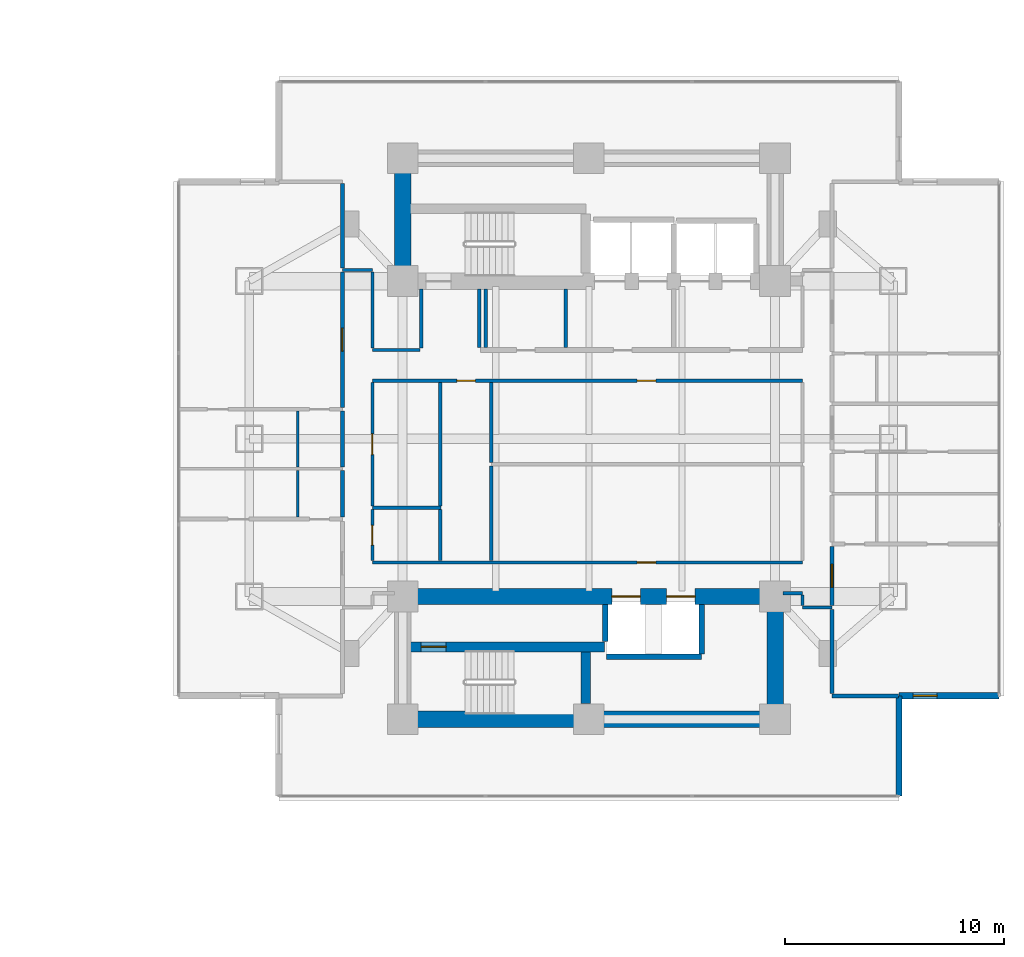
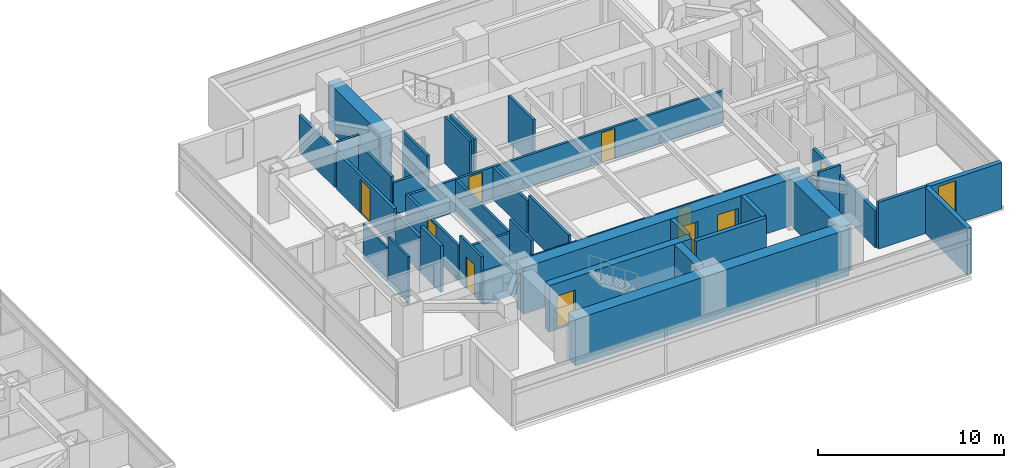
# One storey, part 17 of 25: 39 walls, 10 doors, 1 window, 11 openings.
"""IFC4 building model written with IfcOpenShell, lengths in metres."""

from ifc_helpers import new_model, si_unit, direction, frame, frame_2d, origin, place, context, subcontext, project, spatial, rectangle, extrude, material, layer, layer_set, type_object, element, fill, save


model = new_model("IFC4")

# Units and contexts
model_context = context("Model", 3, precision=1e-05, world=origin(), true_north=direction((0.0, 1.0)))
body_context = subcontext(model_context, "Body", "Model", "MODEL_VIEW")
ifc_project = project(units=[si_unit("LENGTHUNIT", "METRE"), si_unit("AREAUNIT", "SQUARE_METRE"), si_unit("VOLUMEUNIT", "CUBIC_METRE"), si_unit("PLANEANGLEUNIT", "RADIAN"), si_unit("MASSUNIT", "GRAM", prefix="KILO")], contexts=[model_context])

# Site, building, storey
site_placement = place(None, origin())
site = spatial("IfcSite", under=ifc_project, at=site_placement, CompositionType="ELEMENT")
building_placement = place(site_placement, origin())
building = spatial("IfcBuilding", under=site, at=building_placement, Name="Mirazonda Arch Towers", CompositionType="ELEMENT")
storey_placement = place(building_placement, frame((0.0, 0.0, 35.60009765625)))
storey = spatial("IfcBuildingStorey", under=building, at=storey_placement, Name="L09", CompositionType="ELEMENT", Elevation=35.60009765625)

# Wall, opening, door
ifc_material_1 = material(Name="Concrete C50/60", Category="concrete")
ifc_layer_1 = layer(ifc_material_1, 0.449951171875, Name="WALL-CORE-450")
ifc_layer_set_1 = layer_set([ifc_layer_1], Name="Concrete C50/60")
wall_type_1 = type_object("IfcWallType", Name="WALL-CORE-450", PredefinedType="SHEAR", material=ifc_layer_set_1)
wall_1_placement = place(storey_placement, frame((68.3701171875, 18.5, 0.0), z_axis=(0.0, 0.0, 1.0), x_axis=(1.0, 0.0, 0.0)))
wall_1 = element("IfcWall", 1, at=wall_1_placement, inside=storey, type_object=wall_type_1, Name="L09 Stair Core Shear Wall 014", PredefinedType="SHEAR", context=body_context, shape_type="SweptSolid", body=[
    extrude(rectangle(XDim=8.849853515625, YDim=0.449951171875, at=frame_2d((4.4248046875, 0.0))), origin(), (0.0, 0.0, 1.0), 3.059814453125),
])
opening_1_placement = place(wall_1_placement, frame((0.469970703125, 0.0, 0.0)))
opening_1 = element("IfcOpeningElement", 2, at=opening_1_placement, cuts=wall_1, Name="Opening DR-135", PredefinedType="OPENING", context=body_context, shape_type="SweptSolid", body=[
    extrude(rectangle(XDim=1.14990234375, YDim=2.199951171875, at=frame_2d((0.574951171875, 1.10009765625))), frame((0.0, 0.23486328125, 0.0), z_axis=(0.0, -1.0, 0.0), x_axis=(1.0, 0.0, 0.0)), (0.0, 0.0, 1.0), 0.469970703125),
])
ifc_material_2 = material(Name="Architectural Brushed Steel S355", Category="steel")
door_type_1 = type_object("IfcDoorType", Name="DOOR-STAIR-FD90-1150", OperationType="NOTDEFINED", PredefinedType="DOOR", material=ifc_material_2)
door_1_placement = place(opening_1_placement, origin())
door_1 = element("IfcDoor", 3, at=door_1_placement, inside=storey, type_object=door_type_1, Name="L09 East Protected Stair South Door", OperationType="SINGLE_SWING_LEFT", OverallHeight=2.199951171875, OverallWidth=1.14990234375, PredefinedType="DOOR", context=body_context, shape_type="SweptSolid", body=[
    extrude(rectangle(XDim=1.14990234375, YDim=2.199951171875, at=frame_2d((0.574951171875, 1.10009765625))), frame((0.0, 0.02490234375, 0.0), z_axis=(0.0, -1.0, 0.0), x_axis=(1.0, 0.0, 0.0)), (0.0, 0.0, 1.0), 0.050048828125),
])
fill(opening_1, door_1)

# Walls
wall_2_placement = place(storey_placement, frame((76.360107421875, 15.9150390625, 0.0), z_axis=(0.0, 0.0, 1.0), x_axis=(0.0, 1.0, 0.0)))
element("IfcWall", 4, at=wall_2_placement, inside=storey, type_object=wall_type_1, Name="L09 Stair Core Shear Wall 141", PredefinedType="SHEAR", context=body_context, shape_type="SweptSolid", body=[
    extrude(rectangle(XDim=2.349853515625, YDim=0.449951171875, at=frame_2d((1.1748046875, 0.0))), origin(), (0.0, 0.0, 1.0), 3.059814453125),
])
ifc_material_3 = material(Name="Concrete C60/75", Category="concrete")
ifc_layer_2 = layer(ifc_material_3, 0.75, Name="WALL-CORE-750")
ifc_layer_set_2 = layer_set([ifc_layer_2], Name="Concrete C60/75")
wall_type_2 = type_object("IfcWallType", Name="WALL-CORE-750", PredefinedType="SHEAR", material=ifc_layer_set_2)
wall_3_placement = place(storey_placement, frame((68.0, 35.199951171875, 0.0), z_axis=(0.0, 0.0, 1.0), x_axis=(0.0, 1.0, 0.0)))
element("IfcWall", 5, at=wall_3_placement, inside=storey, type_object=wall_type_2, Name="L09 T2N-W Core Shear Wall", PredefinedType="SHEAR", context=body_context, shape_type="SweptSolid", body=[
    extrude(rectangle(XDim=5.60009765625, YDim=0.75, at=frame_2d((2.800048828125, 0.0))), origin(), (0.0, 0.0, 1.0), 3.059814453125),
])
wall_4_placement = place(storey_placement, frame((68.0, 15.199951171875, 0.0), z_axis=(0.0, 0.0, 1.0), x_axis=(1.0, 0.0, 0.0)))
element("IfcWall", 6, at=wall_4_placement, inside=storey, type_object=wall_type_2, Name="L09 T2S-S Core Shear Wall", PredefinedType="SHEAR", context=body_context, shape_type="SweptSolid", body=[
    extrude(rectangle(XDim=17.0, YDim=0.75, at=frame_2d((8.5, 0.0))), origin(), (0.0, 0.0, 1.0), 3.059814453125),
])
wall_5_placement = place(storey_placement, frame((85.0, 15.199951171875, 0.0), z_axis=(0.0, 0.0, 1.0), x_axis=(0.0, 1.0, 0.0)))
element("IfcWall", 7, at=wall_5_placement, inside=storey, type_object=wall_type_2, Name="L09 T2S-E Core Shear Wall", PredefinedType="SHEAR", context=body_context, shape_type="SweptSolid", body=[
    extrude(rectangle(XDim=5.60009765625, YDim=0.75, at=frame_2d((2.800048828125, 0.0))), origin(), (0.0, 0.0, 1.0), 3.059814453125),
])

# Wall, openings, doors
wall_6_placement = place(storey_placement, frame((68.0, 20.800048828125, 0.0), z_axis=(0.0, 0.0, 1.0), x_axis=(1.0, 0.0, 0.0)))
wall_6 = element("IfcWall", 8, at=wall_6_placement, inside=storey, type_object=wall_type_2, Name="L09 T2S-N Core Shear Wall", PredefinedType="SHEAR", context=body_context, shape_type="SweptSolid", body=[
    extrude(rectangle(XDim=17.0, YDim=0.75, at=frame_2d((8.5, 0.0))), origin(), (0.0, 0.0, 1.0), 3.059814453125),
])
opening_2_placement = place(wall_6_placement, frame((9.550048828125, 0.0, 0.0)))
opening_2 = element("IfcOpeningElement", 9, at=opening_2_placement, cuts=wall_6, Name="Opening LD-111", PredefinedType="OPENING", context=body_context, shape_type="SweptSolid", body=[
    extrude(rectangle(XDim=1.300048828125, YDim=2.300048828125, at=frame_2d((0.64990234375, 1.14990234375))), frame((0.0, 0.385009765625, 0.0), z_axis=(0.0, -1.0, 0.0), x_axis=(1.0, 0.0, 0.0)), (0.0, 0.0, 1.0), 0.77001953125),
])
opening_3_placement = place(wall_6_placement, frame((12.050048828125, 0.0, 0.0)))
opening_3 = element("IfcOpeningElement", 10, at=opening_3_placement, cuts=wall_6, Name="Opening LD-111", PredefinedType="OPENING", context=body_context, shape_type="SweptSolid", body=[
    extrude(rectangle(XDim=1.300048828125, YDim=2.300048828125, at=frame_2d((0.64990234375, 1.14990234375))), frame((0.0, 0.385009765625, 0.0), z_axis=(0.0, -1.0, 0.0), x_axis=(1.0, 0.0, 0.0)), (0.0, 0.0, 1.0), 0.77001953125),
])
door_type_2 = type_object("IfcDoorType", Name="DOOR-LIFT-LAND-1300", OperationType="NOTDEFINED", PredefinedType="DOOR", material=ifc_material_2)
door_2_placement = place(opening_2_placement, origin())
door_2 = element("IfcDoor", 11, at=door_2_placement, inside=storey, type_object=door_type_2, Name="L09 Lift Landing Sliding Door PL-T2H1", OperationType="DOUBLE_DOOR_SLIDING", OverallHeight=2.300048828125, OverallWidth=1.300048828125, PredefinedType="DOOR", context=body_context, shape_type="SweptSolid", body=[
    extrude(rectangle(XDim=1.300048828125, YDim=2.300048828125, at=frame_2d((0.64990234375, 1.14990234375))), frame((0.0, 0.02490234375, 0.0), z_axis=(0.0, -1.0, 0.0), x_axis=(1.0, 0.0, 0.0)), (0.0, 0.0, 1.0), 0.050048828125),
])
fill(opening_2, door_2)
door_3_placement = place(opening_3_placement, origin())
door_3 = element("IfcDoor", 12, at=door_3_placement, inside=storey, type_object=door_type_2, Name="L09 Lift Landing Sliding Door PL-T2H2", OperationType="DOUBLE_DOOR_SLIDING", OverallHeight=2.300048828125, OverallWidth=1.300048828125, PredefinedType="DOOR", context=body_context, shape_type="SweptSolid", body=[
    extrude(rectangle(XDim=1.300048828125, YDim=2.300048828125, at=frame_2d((0.64990234375, 1.14990234375))), frame((0.0, 0.02490234375, 0.0), z_axis=(0.0, -1.0, 0.0), x_axis=(1.0, 0.0, 0.0)), (0.0, 0.0, 1.0), 0.050048828125),
])
fill(opening_3, door_3)

# Wall, opening, window
ifc_material_4 = material(Name="Precast Concrete C40/50", Category="concrete")
ifc_layer_3 = layer(ifc_material_4, 0.280029296875, Name="WALL-EXT-WALL-280")
ifc_layer_set_3 = layer_set([ifc_layer_3], Name="Precast Concrete C40/50")
wall_type_3 = type_object("IfcWallType", Name="WALL-EXT-WALL-280", PredefinedType="SOLIDWALL", material=ifc_layer_set_3)
wall_7_placement = place(storey_placement, frame((90.652099609375, 16.266845703125, 0.0), z_axis=(0.0, 0.0, 1.0), x_axis=(1.0, 0.0, 0.0)))
wall_7 = element("IfcWall", 13, at=wall_7_placement, inside=storey, type_object=wall_type_3, Name="L09 T2 Corner Notch Return Wall WL-L09-T2-CSE1", PredefinedType="SOLIDWALL", context=body_context, shape_type="SweptSolid", body=[
    extrude(rectangle(XDim=4.579833984375, YDim=0.280029296875, at=frame_2d((2.2900390625, 0.0))), origin(), (0.0, 0.0, 1.0), 3.039794921875),
])
opening_4_placement = place(wall_7_placement, frame((0.64990234375, 0.0, 0.85009765625)))
opening_4 = element("IfcOpeningElement", 14, at=opening_4_placement, cuts=wall_7, Name="Opening WN-108", PredefinedType="OPENING", context=body_context, shape_type="SweptSolid", body=[
    extrude(rectangle(XDim=1.10009765625, YDim=2.0, at=frame_2d((0.550048828125, 1.0))), frame((0.0, 0.14990234375, 0.0), z_axis=(0.0, -1.0, 0.0), x_axis=(1.0, 0.0, 0.0)), (0.0, 0.0, 1.0), 0.300048828125),
])
ifc_material_5 = material(Name="Insulated Low-E Solar Glass", Category="glass")
window_type = type_object("IfcWindowType", Name="WIN-NOTCH-1100x2000", PartitioningType="SINGLE_PANEL", PredefinedType="WINDOW", material=ifc_material_5)
window_placement = place(opening_4_placement, origin())
window = element("IfcWindow", 15, at=window_placement, inside=storey, type_object=window_type, Name="L09 Punched Facade Window WN-L09-T2-CSE1", OverallHeight=2.0, OverallWidth=1.10009765625, PartitioningType="SINGLE_PANEL", PredefinedType="WINDOW", context=body_context, shape_type="SweptSolid", body=[
    extrude(rectangle(XDim=1.10009765625, YDim=2.0, at=frame_2d((0.550048828125, 1.0))), frame((0.0, 0.030029296875, 0.0), z_axis=(0.0, -1.0, 0.0), x_axis=(1.0, 0.0, 0.0)), (0.0, 0.0, 1.0), 0.06005859375),
])
fill(opening_4, window)

# Walls
wall_8_placement = place(storey_placement, frame((90.652099609375, 11.686767578125, 0.0), z_axis=(0.0, 0.0, 1.0), x_axis=(0.0, 1.0, 0.0)))
element("IfcWall", 16, at=wall_8_placement, inside=storey, type_object=wall_type_3, Name="L09 T2 Corner Notch Return Wall WL-L09-T2-CSE2", PredefinedType="SOLIDWALL", context=body_context, shape_type="SweptSolid", body=[
    extrude(rectangle(XDim=4.580078125, YDim=0.280029296875, at=frame_2d((2.2900390625, 0.0))), origin(), (0.0, 0.0, 1.0), 3.039794921875),
])
ifc_material_6 = material(Name="Fire-Rated Gypsum Stud Partition")
ifc_layer_4 = layer(ifc_material_6, 0.14990234375, Name="WALL-PART-CORR-150")
ifc_layer_set_4 = layer_set([ifc_layer_4], Name="Fire-Rated Gypsum Stud Partition")
wall_type_4 = type_object("IfcWallType", Name="WALL-PART-CORR-150", PredefinedType="PARTITIONING", material=ifc_layer_set_4)
wall_9_placement = place(storey_placement, frame((86.25, 20.300048828125, 0.0), z_axis=(0.0, 0.0, 1.0), x_axis=(1.0, 0.0, 0.0)))
element("IfcWall", 17, at=wall_9_placement, inside=storey, type_object=wall_type_4, Name="L09 Interior Partition 018", PredefinedType="PARTITIONING", context=body_context, shape_type="SweptSolid", body=[
    extrude(rectangle(XDim=1.35009765625, YDim=0.14990234375, at=frame_2d((0.675048828125, 0.0))), origin(), (0.0, 0.0, 1.0), 3.059814453125),
])
wall_10_placement = place(storey_placement, frame((85.3701171875, 20.949951171875, 0.0), z_axis=(0.0, 0.0, 1.0), x_axis=(1.0, 0.0, 0.0)))
element("IfcWall", 18, at=wall_10_placement, inside=storey, type_object=wall_type_4, Name="L09 Interior Partition 020", PredefinedType="PARTITIONING", context=body_context, shape_type="SweptSolid", body=[
    extrude(rectangle(XDim=0.8798828125, YDim=0.14990234375, at=frame_2d((0.43994140625, 0.0))), origin(), (0.0, 0.0, 1.0), 2.451904296875),
])

# Wall, opening, door
wall_11_placement = place(storey_placement, frame((66.6201171875, 22.35009765625, 0.0), z_axis=(0.0, 0.0, 1.0), x_axis=(1.0, 0.0, 0.0)))
wall_11 = element("IfcWall", 19, at=wall_11_placement, inside=storey, type_object=wall_type_4, Name="L09 Interior Partition 023", PredefinedType="PARTITIONING", context=body_context, shape_type="SweptSolid", body=[
    extrude(rectangle(XDim=19.6298828125, YDim=0.14990234375, at=frame_2d((9.81494140625, 0.0))), origin(), (0.0, 0.0, 1.0), 2.125),
])
opening_5_placement = place(wall_11_placement, frame((12.0849609375, 0.0, 0.0)))
opening_5 = element("IfcOpeningElement", 20, at=opening_5_placement, cuts=wall_11, Name="Opening DR-128", PredefinedType="OPENING", context=body_context, shape_type="SweptSolid", body=[
    extrude(rectangle(XDim=0.85009765625, YDim=2.010009765625, at=frame_2d((0.425048828125, 1.0048828125))), frame((0.0, 0.0849609375, 0.0), z_axis=(0.0, -1.0, 0.0), x_axis=(1.0, 0.0, 0.0)), (0.0, 0.0, 1.0), 0.169921875),
])
door_type_3 = type_object("IfcDoorType", Name="DOOR-RISER-FD60-850", OperationType="NOTDEFINED", PredefinedType="DOOR", material=ifc_material_2)
door_4_placement = place(opening_5_placement, origin())
door_4 = element("IfcDoor", 21, at=door_4_placement, inside=storey, type_object=door_type_3, Name="L09 Business Reading Study Door", OperationType="SINGLE_SWING_RIGHT", OverallHeight=2.010009765625, OverallWidth=0.85009765625, PredefinedType="DOOR", context=body_context, shape_type="SweptSolid", body=[
    extrude(rectangle(XDim=0.85009765625, YDim=2.010009765625, at=frame_2d((0.425048828125, 1.0048828125))), frame((0.0, 0.02490234375, 0.0), z_axis=(0.0, -1.0, 0.0), x_axis=(1.0, 0.0, 0.0)), (0.0, 0.0, 1.0), 0.050048828125),
])
fill(opening_5, door_4)

# Wall
wall_12_placement = place(storey_placement, frame((66.6201171875, 24.85009765625, 0.0), z_axis=(0.0, 0.0, 1.0), x_axis=(1.0, 0.0, 0.0)))
element("IfcWall", 22, at=wall_12_placement, inside=storey, type_object=wall_type_4, Name="L09 Interior Partition 029", PredefinedType="PARTITIONING", context=body_context, shape_type="SweptSolid", body=[
    extrude(rectangle(XDim=3.1298828125, YDim=0.14990234375, at=frame_2d((1.56494140625, 0.0))), origin(), (0.0, 0.0, 1.0), 2.125),
])

# Wall, openings, doors
wall_13_placement = place(storey_placement, frame((66.6201171875, 30.64990234375, 0.0), z_axis=(0.0, 0.0, 1.0), x_axis=(1.0, 0.0, 0.0)))
wall_13 = element("IfcWall", 23, at=wall_13_placement, inside=storey, type_object=wall_type_4, Name="L09 Interior Partition 041", PredefinedType="PARTITIONING", context=body_context, shape_type="SweptSolid", body=[
    extrude(rectangle(XDim=19.6298828125, YDim=0.14990234375, at=frame_2d((9.81494140625, 0.0))), origin(), (0.0, 0.0, 1.0), 2.125),
])
opening_6_placement = place(wall_13_placement, frame((3.85498046875, 0.0, 0.0)))
opening_6 = element("IfcOpeningElement", 24, at=opening_6_placement, cuts=wall_13, Name="Opening DR-128", PredefinedType="OPENING", context=body_context, shape_type="SweptSolid", body=[
    extrude(rectangle(XDim=0.85009765625, YDim=2.010009765625, at=frame_2d((0.425048828125, 1.0048828125))), frame((0.0, 0.0849609375, 0.0), z_axis=(0.0, -1.0, 0.0), x_axis=(1.0, 0.0, 0.0)), (0.0, 0.0, 1.0), 0.169921875),
])
opening_7_placement = place(wall_13_placement, frame((12.0849609375, 0.0, 0.0)))
opening_7 = element("IfcOpeningElement", 25, at=opening_7_placement, cuts=wall_13, Name="Opening DR-128", PredefinedType="OPENING", context=body_context, shape_type="SweptSolid", body=[
    extrude(rectangle(XDim=0.85009765625, YDim=2.010009765625, at=frame_2d((0.425048828125, 1.0048828125))), frame((0.0, 0.0849609375, 0.0), z_axis=(0.0, -1.0, 0.0), x_axis=(1.0, 0.0, 0.0)), (0.0, 0.0, 1.0), 0.169921875),
])
door_5_placement = place(opening_6_placement, origin())
door_5 = element("IfcDoor", 26, at=door_5_placement, inside=storey, type_object=door_type_3, Name="L09 L09 East Courtyard Study Door", OperationType="SINGLE_SWING_LEFT", OverallHeight=2.010009765625, OverallWidth=0.85009765625, PredefinedType="DOOR", context=body_context, shape_type="SweptSolid", body=[
    extrude(rectangle(XDim=0.85009765625, YDim=2.010009765625, at=frame_2d((0.425048828125, 1.0048828125))), frame((0.0, 0.02490234375, 0.0), z_axis=(0.0, -1.0, 0.0), x_axis=(1.0, 0.0, 0.0)), (0.0, 0.0, 1.0), 0.050048828125),
])
fill(opening_6, door_5)
door_6_placement = place(opening_7_placement, origin())
door_6 = element("IfcDoor", 27, at=door_6_placement, inside=storey, type_object=door_type_3, Name="L09 Concierge Salon Door", OperationType="SINGLE_SWING_LEFT", OverallHeight=2.010009765625, OverallWidth=0.85009765625, PredefinedType="DOOR", context=body_context, shape_type="SweptSolid", body=[
    extrude(rectangle(XDim=0.85009765625, YDim=2.010009765625, at=frame_2d((0.425048828125, 1.0048828125))), frame((0.0, 0.02490234375, 0.0), z_axis=(0.0, -1.0, 0.0), x_axis=(1.0, 0.0, 0.0)), (0.0, 0.0, 1.0), 0.050048828125),
])
fill(opening_7, door_6)

# Walls
wall_14_placement = place(storey_placement, frame((66.6201171875, 32.050048828125, 0.0), z_axis=(0.0, 0.0, 1.0), x_axis=(1.0, 0.0, 0.0)))
element("IfcWall", 28, at=wall_14_placement, inside=storey, type_object=wall_type_4, Name="L09 Interior Partition 044", PredefinedType="PARTITIONING", context=body_context, shape_type="SweptSolid", body=[
    extrude(rectangle(XDim=2.179931640625, YDim=0.14990234375, at=frame_2d((1.08984375, 0.0))), origin(), (0.0, 0.0, 1.0), 2.125),
])
wall_15_placement = place(storey_placement, frame((65.25, 35.699951171875, 0.0), z_axis=(0.0, 0.0, 1.0), x_axis=(1.0, 0.0, 0.0)))
element("IfcWall", 29, at=wall_15_placement, inside=storey, type_object=wall_type_4, Name="L09 Interior Partition 052", PredefinedType="PARTITIONING", context=body_context, shape_type="SweptSolid", body=[
    extrude(rectangle(XDim=1.3701171875, YDim=0.14990234375, at=frame_2d((0.68505859375, 0.0))), origin(), (0.0, 0.0, 1.0), 3.059814453125),
])

# Wall, opening, door
wall_16_placement = place(storey_placement, frame((66.6201171875, 22.43505859375, 0.0), z_axis=(0.0, 0.0, 1.0), x_axis=(0.0, 1.0, 0.0)))
wall_16 = element("IfcWall", 30, at=wall_16_placement, inside=storey, type_object=wall_type_4, Name="L09 Interior Partition 130", PredefinedType="PARTITIONING", context=body_context, shape_type="SweptSolid", body=[
    extrude(rectangle(XDim=2.329833984375, YDim=0.14990234375, at=frame_2d((1.1650390625, 0.0))), origin(), (0.0, 0.0, 1.0), 3.059814453125),
])
opening_8_placement = place(wall_16_placement, frame((0.715087890625, 0.0, 0.0)))
opening_8 = element("IfcOpeningElement", 31, at=opening_8_placement, cuts=wall_16, Name="Opening DR-120", PredefinedType="OPENING", context=body_context, shape_type="SweptSolid", body=[
    extrude(rectangle(XDim=0.89990234375, YDim=2.10009765625, at=frame_2d((0.449951171875, 1.050048828125))), frame((0.0, 0.0849609375, 0.0), z_axis=(0.0, -1.0, 0.0), x_axis=(1.0, 0.0, 0.0)), (0.0, 0.0, 1.0), 0.169921875),
])
door_type_4 = type_object("IfcDoorType", Name="DOOR-WC-900", OperationType="NOTDEFINED", PredefinedType="DOOR", material=ifc_material_2)
door_7_placement = place(opening_8_placement, origin())
door_7 = element("IfcDoor", 32, at=door_7_placement, inside=storey, type_object=door_type_4, Name="L09 Tower 2 Common Accessible WC Door", OperationType="SINGLE_SWING_RIGHT", OverallHeight=2.10009765625, OverallWidth=0.89990234375, PredefinedType="DOOR", context=body_context, shape_type="SweptSolid", body=[
    extrude(rectangle(XDim=0.89990234375, YDim=2.10009765625, at=frame_2d((0.449951171875, 1.050048828125))), frame((0.0, 0.02490234375, 0.0), z_axis=(0.0, -1.0, 0.0), x_axis=(1.0, 0.0, 0.0)), (0.0, 0.0, 1.0), 0.050048828125),
])
fill(opening_8, door_7)

wall_17_placement = place(storey_placement, frame((66.6201171875, 24.93505859375, 0.0), z_axis=(0.0, 0.0, 1.0), x_axis=(0.0, 1.0, 0.0)))
wall_17 = element("IfcWall", 33, at=wall_17_placement, inside=storey, type_object=wall_type_4, Name="L09 Interior Partition 131", PredefinedType="PARTITIONING", context=body_context, shape_type="SweptSolid", body=[
    extrude(rectangle(XDim=5.6298828125, YDim=0.14990234375, at=frame_2d((2.81494140625, 0.0))), origin(), (0.0, 0.0, 1.0), 2.27880859375),
])
opening_9_placement = place(wall_17_placement, frame((2.340087890625, 0.0, 0.0)))
opening_9 = element("IfcOpeningElement", 34, at=opening_9_placement, cuts=wall_17, Name="Opening DR-104", PredefinedType="OPENING", context=body_context, shape_type="SweptSolid", body=[
    extrude(rectangle(XDim=0.949951171875, YDim=2.14990234375, at=frame_2d((0.47509765625, 1.074951171875))), frame((0.0, 0.0849609375, 0.0), z_axis=(0.0, -1.0, 0.0), x_axis=(1.0, 0.0, 0.0)), (0.0, 0.0, 1.0), 0.169921875),
])
door_type_5 = type_object("IfcDoorType", Name="DOOR-ROOM-950", OperationType="NOTDEFINED", PredefinedType="DOOR", material=ifc_material_2)
door_8_placement = place(opening_9_placement, origin())
door_8 = element("IfcDoor", 35, at=door_8_placement, inside=storey, type_object=door_type_5, Name="L09 L09 East Courtyard Reading Study Door", OperationType="SINGLE_SWING_RIGHT", OverallHeight=2.14990234375, OverallWidth=0.949951171875, PredefinedType="DOOR", context=body_context, shape_type="SweptSolid", body=[
    extrude(rectangle(XDim=0.949951171875, YDim=2.14990234375, at=frame_2d((0.47509765625, 1.074951171875))), frame((0.0, 0.02490234375, 0.0), z_axis=(0.0, -1.0, 0.0), x_axis=(1.0, 0.0, 0.0)), (0.0, 0.0, 1.0), 0.050048828125),
])
fill(opening_9, door_8)

# Walls
wall_18_placement = place(storey_placement, frame((66.6201171875, 32.135009765625, 0.0), z_axis=(0.0, 0.0, 1.0), x_axis=(0.0, 1.0, 0.0)))
element("IfcWall", 36, at=wall_18_placement, inside=storey, type_object=wall_type_4, Name="L09 Interior Partition 132", PredefinedType="PARTITIONING", context=body_context, shape_type="SweptSolid", body=[
    extrude(rectangle(XDim=3.47998046875, YDim=0.14990234375, at=frame_2d((1.739990234375, 0.0))), origin(), (0.0, 0.0, 1.0), 2.451904296875),
])
wall_19_placement = place(storey_placement, frame((68.85009765625, 32.135009765625, 0.0), z_axis=(0.0, 0.0, 1.0), x_axis=(0.0, 1.0, 0.0)))
element("IfcWall", 37, at=wall_19_placement, inside=storey, type_object=wall_type_4, Name="L09 Interior Partition 133", PredefinedType="PARTITIONING", context=body_context, shape_type="SweptSolid", body=[
    extrude(rectangle(XDim=2.695068359375, YDim=0.14990234375, at=frame_2d((1.34765625, 0.0))), origin(), (0.0, 0.0, 1.0), 3.059814453125),
])
wall_20_placement = place(storey_placement, frame((69.723388671875, 22.43505859375, 0.0), z_axis=(0.0, 0.0, 1.0), x_axis=(0.0, 1.0, 0.0)))
element("IfcWall", 38, at=wall_20_placement, inside=storey, type_object=wall_type_4, Name="L09 Interior Partition 134", PredefinedType="PARTITIONING", context=body_context, shape_type="SweptSolid", body=[
    extrude(rectangle(XDim=2.329833984375, YDim=0.14990234375, at=frame_2d((1.1650390625, 0.0))), origin(), (0.0, 0.0, 1.0), 3.059814453125),
])
wall_21_placement = place(storey_placement, frame((69.723388671875, 24.93505859375, 0.0), z_axis=(0.0, 0.0, 1.0), x_axis=(0.0, 1.0, 0.0)))
element("IfcWall", 39, at=wall_21_placement, inside=storey, type_object=wall_type_4, Name="L09 Interior Partition 135", PredefinedType="PARTITIONING", context=body_context, shape_type="SweptSolid", body=[
    extrude(rectangle(XDim=5.6298828125, YDim=0.14990234375, at=frame_2d((2.81494140625, 0.0))), origin(), (0.0, 0.0, 1.0), 2.125),
])
for number, where, z_axis, x_axis, name in (
    (40, (71.5, 32.169921875, 0.0), (0.0, 0.0, 1.0), (0.0, 1.0, 0.0), "L09 Interior Partition 136"),
    (41, (71.800048828125, 32.169921875, 0.0), (0.0, 0.0, 1.0), (0.0, 1.0, 0.0), "L09 Interior Partition 137"),
):
    element("IfcWall", number, at=place(storey_placement, frame(where, z_axis=z_axis, x_axis=x_axis)), inside=storey, type_object=wall_type_4, Name=name, PredefinedType="PARTITIONING", context=body_context, shape_type="SweptSolid", body=[
        extrude(rectangle(XDim=2.66015625, YDim=0.14990234375, at=frame_2d((1.330078125, 0.0))), origin(), (0.0, 0.0, 1.0), 3.059814453125),
    ])
wall_22_placement = place(storey_placement, frame((72.050048828125, 22.43505859375, 0.0), z_axis=(0.0, 0.0, 1.0), x_axis=(0.0, 1.0, 0.0)))
element("IfcWall", 42, at=wall_22_placement, inside=storey, type_object=wall_type_4, Name="L09 Interior Partition 138", PredefinedType="PARTITIONING", context=body_context, shape_type="SweptSolid", body=[
    extrude(rectangle(XDim=4.31201171875, YDim=0.14990234375, at=frame_2d((2.156005859375, 0.0))), origin(), (0.0, 0.0, 1.0), 2.5888671875),
])
wall_23_placement = place(storey_placement, frame((72.050048828125, 26.9169921875, 0.0), z_axis=(0.0, 0.0, 1.0), x_axis=(0.0, 1.0, 0.0)))
element("IfcWall", 43, at=wall_23_placement, inside=storey, type_object=wall_type_4, Name="L09 Interior Partition 139", PredefinedType="PARTITIONING", context=body_context, shape_type="SweptSolid", body=[
    extrude(rectangle(XDim=3.64794921875, YDim=0.14990234375, at=frame_2d((1.823974609375, 0.0))), origin(), (0.0, 0.0, 1.0), 2.125),
])
wall_24_placement = place(storey_placement, frame((75.449951171875, 32.169921875, 0.0), z_axis=(0.0, 0.0, 1.0), x_axis=(0.0, 1.0, 0.0)))
element("IfcWall", 44, at=wall_24_placement, inside=storey, type_object=wall_type_4, Name="L09 Interior Partition 140", PredefinedType="PARTITIONING", context=body_context, shape_type="SweptSolid", body=[
    extrude(rectangle(XDim=2.66015625, YDim=0.14990234375, at=frame_2d((1.330078125, 0.0))), origin(), (0.0, 0.0, 1.0), 3.059814453125),
])
wall_25_placement = place(storey_placement, frame((86.25, 20.385009765625, 0.0), z_axis=(0.0, 0.0, 1.0), x_axis=(0.0, 1.0, 0.0)))
element("IfcWall", 45, at=wall_25_placement, inside=storey, type_object=wall_type_4, Name="L09 Interior Partition 148", PredefinedType="PARTITIONING", context=body_context, shape_type="SweptSolid", body=[
    extrude(rectangle(XDim=0.47998046875, YDim=0.14990234375, at=frame_2d((0.239990234375, 0.0))), origin(), (0.0, 0.0, 1.0), 2.451904296875),
])
ifc_material_7 = material(Name="Fire-Rated Gypsum Twin-Stud Assembly")
ifc_layer_5 = layer(ifc_material_7, 0.179931640625, Name="WALL-PART-DEMISE-180")
ifc_layer_set_5 = layer_set([ifc_layer_5], Name="Fire-Rated Gypsum Twin-Stud Assembly")
wall_type_5 = type_object("IfcWallType", Name="WALL-PART-DEMISE-180", PredefinedType="PARTITIONING", material=ifc_layer_set_5)
wall_26_placement = place(storey_placement, frame((87.60009765625, 16.26708984375, 0.0), z_axis=(0.0, 0.0, 1.0), x_axis=(1.0, 0.0, 0.0)))
element("IfcWall", 46, at=wall_26_placement, inside=storey, type_object=wall_type_5, Name="L09 Interior Partition 010", PredefinedType="PARTITIONING", context=body_context, shape_type="SweptSolid", body=[
    extrude(rectangle(XDim=3.031982421875, YDim=0.179931640625, at=frame_2d((1.51611328125, 0.0))), origin(), (0.0, 0.0, 1.0), 3.059814453125),
])
wall_27_placement = place(storey_placement, frame((65.25, 24.431884765625, 0.0), z_axis=(0.0, 0.0, 1.0), x_axis=(0.0, 1.0, 0.0)))
element("IfcWall", 47, at=wall_27_placement, inside=storey, type_object=wall_type_5, Name="L09 Interior Partition 125", PredefinedType="PARTITIONING", context=body_context, shape_type="SweptSolid", body=[
    extrude(rectangle(XDim=2.127685546875, YDim=0.179931640625, at=frame_2d((1.06396484375, 0.0))), origin(), (0.0, 0.0, 1.0), 3.059814453125),
])
wall_28_placement = place(storey_placement, frame((65.25, 26.70458984375, 0.0), z_axis=(0.0, 0.0, 1.0), x_axis=(0.0, 1.0, 0.0)))
element("IfcWall", 48, at=wall_28_placement, inside=storey, type_object=wall_type_5, Name="L09 Interior Partition 126", PredefinedType="PARTITIONING", context=body_context, shape_type="SweptSolid", body=[
    extrude(rectangle(XDim=2.5625, YDim=0.179931640625, at=frame_2d((1.28125, 0.0))), origin(), (0.0, 0.0, 1.0), 2.27880859375),
])

# Wall, opening, door
wall_29_placement = place(storey_placement, frame((65.25, 29.43701171875, 0.0), z_axis=(0.0, 0.0, 1.0), x_axis=(0.0, 1.0, 0.0)))
wall_29 = element("IfcWall", 49, at=wall_29_placement, inside=storey, type_object=wall_type_5, Name="L09 Interior Partition 127", PredefinedType="PARTITIONING", context=body_context, shape_type="SweptSolid", body=[
    extrude(rectangle(XDim=6.177978515625, YDim=0.179931640625, at=frame_2d((3.0888671875, 0.0))), origin(), (0.0, 0.0, 1.0), 2.451904296875),
])
opening_10_placement = place(wall_29_placement, frame((2.56396484375, 0.0, 0.0)))
opening_10 = element("IfcOpeningElement", 50, at=opening_10_placement, cuts=wall_29, Name="Opening DR-121", PredefinedType="OPENING", context=body_context, shape_type="SweptSolid", body=[
    extrude(rectangle(XDim=1.050048828125, YDim=2.199951171875, at=frame_2d((0.52490234375, 1.10009765625))), frame((0.0, 0.099853515625, 0.0), z_axis=(0.0, -1.0, 0.0), x_axis=(1.0, 0.0, 0.0)), (0.0, 0.0, 1.0), 0.199951171875),
])
door_type_6 = type_object("IfcDoorType", Name="DOOR-SUITE-FD60-1050", OperationType="NOTDEFINED", PredefinedType="DOOR", material=ifc_material_2)
door_9_placement = place(opening_10_placement, origin())
door_9 = element("IfcDoor", 51, at=door_9_placement, inside=storey, type_object=door_type_6, Name="L09 Presidential Hotel Suite 2 Door", OperationType="SINGLE_SWING_RIGHT", OverallHeight=2.199951171875, OverallWidth=1.050048828125, PredefinedType="DOOR", context=body_context, shape_type="SweptSolid", body=[
    extrude(rectangle(XDim=1.050048828125, YDim=2.199951171875, at=frame_2d((0.52490234375, 1.10009765625))), frame((0.0, 0.02490234375, 0.0), z_axis=(0.0, -1.0, 0.0), x_axis=(1.0, 0.0, 0.0)), (0.0, 0.0, 1.0), 0.050048828125),
])
fill(opening_10, door_9)

# Walls
wall_30_placement = place(storey_placement, frame((65.25, 35.784912109375, 0.0), z_axis=(0.0, 0.0, 1.0), x_axis=(0.0, 1.0, 0.0)))
element("IfcWall", 52, at=wall_30_placement, inside=storey, type_object=wall_type_5, Name="L09 Interior Partition 128", PredefinedType="PARTITIONING", context=body_context, shape_type="SweptSolid", body=[
    extrude(rectangle(XDim=3.863037109375, YDim=0.179931640625, at=frame_2d((1.931640625, 0.0))), origin(), (0.0, 0.0, 1.0), 2.435791015625),
])
wall_31_placement = place(storey_placement, frame((87.60009765625, 16.366943359375, 0.0), z_axis=(0.0, 0.0, 1.0), x_axis=(0.0, 1.0, 0.0)))
element("IfcWall", 53, at=wall_31_placement, inside=storey, type_object=wall_type_5, Name="L09 Interior Partition 153", PredefinedType="PARTITIONING", context=body_context, shape_type="SweptSolid", body=[
    extrude(rectangle(XDim=3.84814453125, YDim=0.179931640625, at=frame_2d((1.924072265625, 0.0))), origin(), (0.0, 0.0, 1.0), 2.435791015625),
])

# Wall, opening, door
wall_32_placement = place(storey_placement, frame((87.60009765625, 20.385009765625, 0.0), z_axis=(0.0, 0.0, 1.0), x_axis=(0.0, 1.0, 0.0)))
wall_32 = element("IfcWall", 54, at=wall_32_placement, inside=storey, type_object=wall_type_5, Name="L09 Interior Partition 154", PredefinedType="PARTITIONING", context=body_context, shape_type="SweptSolid", body=[
    extrude(rectangle(XDim=2.70703125, YDim=0.179931640625, at=frame_2d((1.353515625, 0.0))), origin(), (0.0, 0.0, 1.0), 2.451904296875),
])
opening_11_placement = place(wall_32_placement, frame((0.82861328125, 0.0, 0.0)))
opening_11 = element("IfcOpeningElement", 55, at=opening_11_placement, cuts=wall_32, Name="Opening DR-121", PredefinedType="OPENING", context=body_context, shape_type="SweptSolid", body=[
    extrude(rectangle(XDim=1.050048828125, YDim=2.199951171875, at=frame_2d((0.52490234375, 1.10009765625))), frame((0.0, 0.099853515625, 0.0), z_axis=(0.0, -1.0, 0.0), x_axis=(1.0, 0.0, 0.0)), (0.0, 0.0, 1.0), 0.199951171875),
])
door_10_placement = place(opening_11_placement, origin())
door_10 = element("IfcDoor", 56, at=door_10_placement, inside=storey, type_object=door_type_6, Name="L09 King Hotel Guestroom 1 Door", OperationType="SINGLE_SWING_LEFT", OverallHeight=2.199951171875, OverallWidth=1.050048828125, PredefinedType="DOOR", context=body_context, shape_type="SweptSolid", body=[
    extrude(rectangle(XDim=1.050048828125, YDim=2.199951171875, at=frame_2d((0.52490234375, 1.10009765625))), frame((0.0, 0.02490234375, 0.0), z_axis=(0.0, -1.0, 0.0), x_axis=(1.0, 0.0, 0.0)), (0.0, 0.0, 1.0), 0.050048828125),
])
fill(opening_11, door_10)

# Walls
ifc_material_8 = material(Name="Acoustic Fire-Rated Gypsum Partition")
ifc_layer_6 = layer(ifc_material_8, 0.125, Name="WALL-PART-UNIT-125")
ifc_layer_set_6 = layer_set([ifc_layer_6], Name="Acoustic Fire-Rated Gypsum Partition")
wall_type_6 = type_object("IfcWallType", Name="WALL-PART-UNIT-125", PredefinedType="PARTITIONING", material=ifc_layer_set_6)
wall_33_placement = place(storey_placement, frame((63.2099609375, 24.431884765625, 0.0), z_axis=(0.0, 0.0, 1.0), x_axis=(0.0, 1.0, 0.0)))
element("IfcWall", 57, at=wall_33_placement, inside=storey, type_object=wall_type_6, Name="L09 Interior Partition 121", PredefinedType="PARTITIONING", context=body_context, shape_type="SweptSolid", body=[
    extrude(rectangle(XDim=2.127685546875, YDim=0.125, at=frame_2d((1.06396484375, 0.0))), origin(), (0.0, 0.0, 1.0), 3.059814453125),
])
wall_34_placement = place(storey_placement, frame((63.2099609375, 26.70458984375, 0.0), z_axis=(0.0, 0.0, 1.0), x_axis=(0.0, 1.0, 0.0)))
element("IfcWall", 58, at=wall_34_placement, inside=storey, type_object=wall_type_6, Name="L09 Interior Partition 122", PredefinedType="PARTITIONING", context=body_context, shape_type="SweptSolid", body=[
    extrude(rectangle(XDim=2.5625, YDim=0.125, at=frame_2d((1.28125, 0.0))), origin(), (0.0, 0.0, 1.0), 2.27880859375),
])
ifc_material_9 = material(Name="Concrete C40/50", Category="concrete")
ifc_layer_7 = layer(ifc_material_9, 0.25, Name="WALL-SHAFT-250")
ifc_layer_set_7 = layer_set([ifc_layer_7], Name="Concrete C40/50")
wall_type_7 = type_object("IfcWallType", Name="WALL-SHAFT-250", PredefinedType="SOLIDWALL", material=ifc_layer_set_7)
wall_35_placement = place(storey_placement, frame((77.300048828125, 18.050048828125, 0.0), z_axis=(0.0, 0.0, 1.0), x_axis=(1.0, 0.0, 0.0)))
element("IfcWall", 59, at=wall_35_placement, inside=storey, type_object=wall_type_7, Name="L09 Interior Partition 011", PredefinedType="SOLIDWALL", context=body_context, shape_type="SweptSolid", body=[
    extrude(rectangle(XDim=4.349853515625, YDim=0.25, at=frame_2d((2.1748046875, 0.0))), origin(), (0.0, 0.0, 1.0), 3.059814453125),
])
wall_36_placement = place(storey_placement, frame((77.260009765625, 18.735107421875, 0.0), z_axis=(0.0, 0.0, 1.0), x_axis=(0.0, 1.0, 0.0)))
element("IfcWall", 60, at=wall_36_placement, inside=storey, type_object=wall_type_7, Name="L09 Interior Partition 143", PredefinedType="SOLIDWALL", context=body_context, shape_type="SweptSolid", body=[
    extrude(rectangle(XDim=1.69482421875, YDim=0.25, at=frame_2d((0.847412109375, 0.0))), origin(), (0.0, 0.0, 1.0), 3.059814453125),
])
wall_37_placement = place(storey_placement, frame((81.64990234375, 18.18505859375, 0.0), z_axis=(0.0, 0.0, 1.0), x_axis=(0.0, 1.0, 0.0)))
element("IfcWall", 61, at=wall_37_placement, inside=storey, type_object=wall_type_7, Name="L09 Interior Partition 146", PredefinedType="SOLIDWALL", context=body_context, shape_type="SweptSolid", body=[
    extrude(rectangle(XDim=2.244873046875, YDim=0.25, at=frame_2d((1.12255859375, 0.0))), origin(), (0.0, 0.0, 1.0), 3.059814453125),
])

save(model, "model.ifc")
